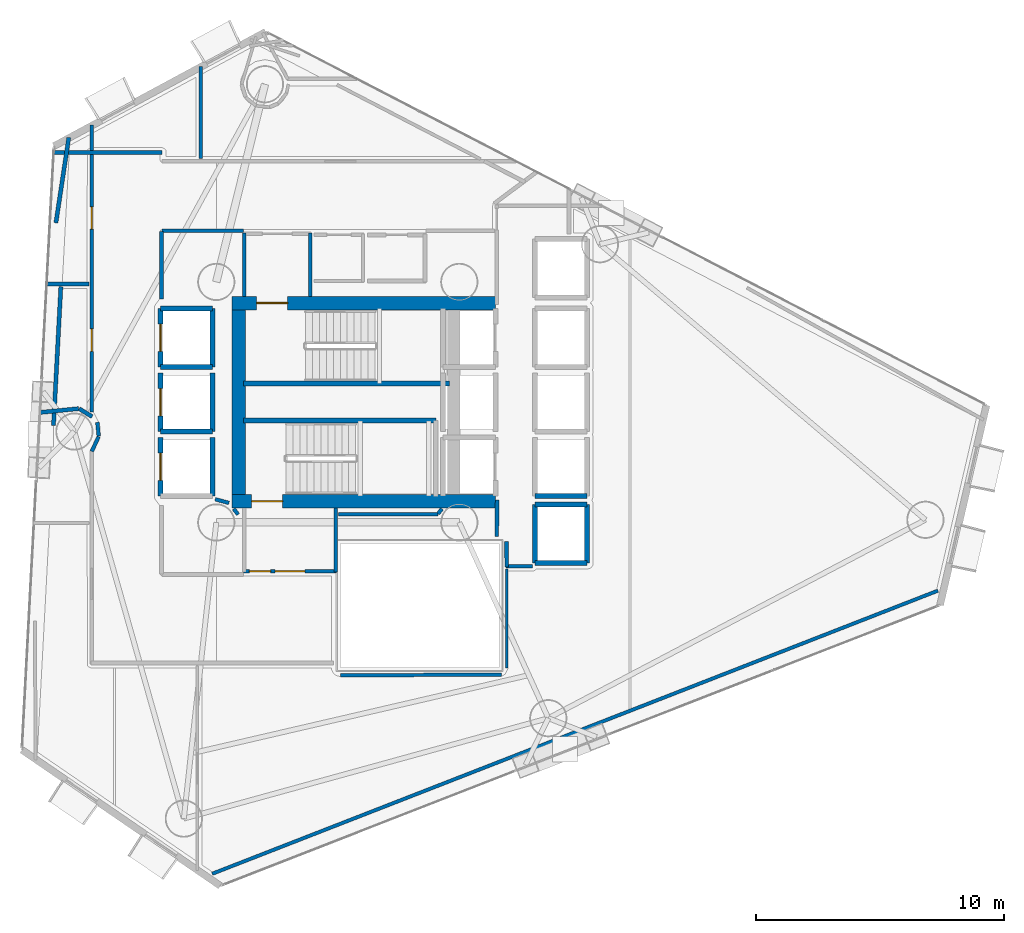
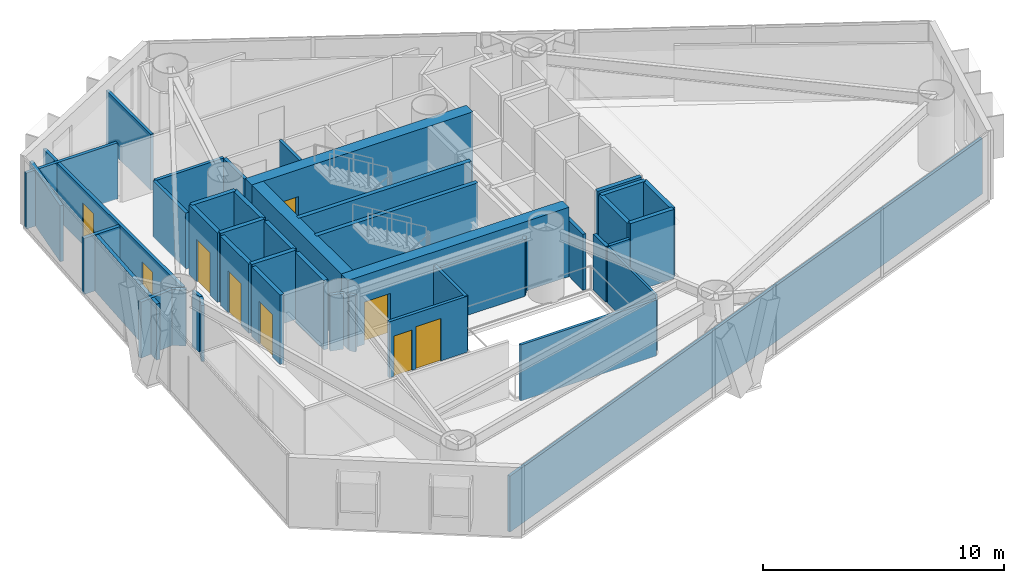
# One storey, part 16 of 21: 45 walls, 9 doors, 9 openings.
"""IFC4 building model written with IfcOpenShell, lengths in metres."""

from ifc_helpers import new_model, si_unit, direction, frame, frame_2d, origin, place, context, subcontext, project, spatial, rectangle, extrude, material, layer, layer_set, type_object, element, fill, save


model = new_model("IFC4")

# Units and contexts
model_context = context("Model", 3, precision=1e-05, world=origin(), true_north=direction((0.0, 1.0)))
body_context = subcontext(model_context, "Body", "Model", "MODEL_VIEW")
ifc_project = project(units=[si_unit("LENGTHUNIT", "METRE"), si_unit("AREAUNIT", "SQUARE_METRE"), si_unit("VOLUMEUNIT", "CUBIC_METRE"), si_unit("PLANEANGLEUNIT", "RADIAN"), si_unit("MASSUNIT", "GRAM", prefix="KILO")], contexts=[model_context])

# Site, building, storey
site_placement = place(None, origin())
site = spatial("IfcSite", under=ifc_project, at=site_placement, CompositionType="ELEMENT")
building_placement = place(site_placement, origin())
building = spatial("IfcBuilding", under=site, at=building_placement, Name="Qianvela Tower", CompositionType="ELEMENT")
storey_placement = place(building_placement, frame((0.0, 0.0, 131.10009765625)))
storey = spatial("IfcBuildingStorey", under=building, at=storey_placement, Name="L33", CompositionType="ELEMENT", Elevation=131.10009765625)

# Wall, opening, door
ifc_material_1 = material(Name="Concrete C60", Category="concrete")
ifc_layer_1 = layer(ifc_material_1, 0.550048828125)
ifc_layer_set_1 = layer_set([ifc_layer_1], Name="Concrete C60")
wall_type_1 = type_object("IfcWallType", Name="WT-CORE-550", PredefinedType="SHEAR", material=ifc_layer_set_1)
wall_1_placement = place(storey_placement, frame((29.22998046875, 32.695068359375, 0.0), z_axis=(0.0, 0.0, 1.0), x_axis=(1.0, 0.0, 0.0)))
wall_1 = element("IfcWall", 1, at=wall_1_placement, inside=storey, type_object=wall_type_1, Name="L33 North Core Shear Wall", PredefinedType="SHEAR", context=body_context, shape_type="SweptSolid", body=[
    extrude(rectangle(XDim=10.6201171875, YDim=0.550048828125, at=frame_2d((5.31005859375, 0.0))), origin(), (0.0, 0.0, 1.0), 3.52001953125),
])
opening_1_placement = place(wall_1_placement, frame((0.9951171875, 0.0, 0.0)))
opening_1 = element("IfcOpeningElement", 2, at=opening_1_placement, cuts=wall_1, Name="Opening D-ST1", PredefinedType="OPENING", context=body_context, shape_type="SweptSolid", body=[
    extrude(rectangle(XDim=1.25, YDim=2.14990234375, at=frame_2d((0.625, 1.074951171875))), frame((0.0, 0.284912109375, 0.0), z_axis=(0.0, -1.0, 0.0), x_axis=(1.0, 0.0, 0.0)), (0.0, 0.0, 1.0), 0.570068359375),
])
ifc_material_2 = material(Name="Galvanised Fire Steel Q355B", Category="steel")
door_type_1 = type_object("IfcDoorType", Name="DT-STAIR-FD90", OperationType="NOTDEFINED", PredefinedType="DOOR", material=ifc_material_2)
door_1_placement = place(opening_1_placement, origin())
door_1 = element("IfcDoor", 3, at=door_1_placement, inside=storey, type_object=door_type_1, Name="L33 Stair ST-1 Exit Door", OperationType="SINGLE_SWING_RIGHT", OverallHeight=2.14990234375, OverallWidth=1.25, PredefinedType="DOOR", context=body_context, shape_type="SweptSolid", body=[
    extrude(rectangle(XDim=1.25, YDim=2.14990234375, at=frame_2d((0.625, 1.074951171875))), frame((0.0, 0.02490234375, 0.0), z_axis=(0.0, -1.0, 0.0), x_axis=(1.0, 0.0, 0.0)), (0.0, 0.0, 1.0), 0.050048828125),
])
fill(opening_1, door_1)

wall_2_placement = place(storey_placement, frame((29.22998046875, 24.705078125, 0.0), z_axis=(0.0, 0.0, 1.0), x_axis=(1.0, 0.0, 0.0)))
wall_2 = element("IfcWall", 4, at=wall_2_placement, inside=storey, type_object=wall_type_1, Name="L33 South Core Shear Wall", PredefinedType="SHEAR", context=body_context, shape_type="SweptSolid", body=[
    extrude(rectangle(XDim=10.6201171875, YDim=0.550048828125, at=frame_2d((5.31005859375, 0.0))), origin(), (0.0, 0.0, 1.0), 3.52001953125),
])
opening_2_placement = place(wall_2_placement, frame((0.794921875, 0.0, 0.0)))
opening_2 = element("IfcOpeningElement", 5, at=opening_2_placement, cuts=wall_2, Name="Opening D-ST1", PredefinedType="OPENING", context=body_context, shape_type="SweptSolid", body=[
    extrude(rectangle(XDim=1.25, YDim=2.14990234375, at=frame_2d((0.625, 1.074951171875))), frame((0.0, 0.284912109375, 0.0), z_axis=(0.0, -1.0, 0.0), x_axis=(1.0, 0.0, 0.0)), (0.0, 0.0, 1.0), 0.570068359375),
])
door_2_placement = place(opening_2_placement, origin())
door_2 = element("IfcDoor", 6, at=door_2_placement, inside=storey, type_object=door_type_1, Name="L33 Stair ST-2 Exit Door", OperationType="SINGLE_SWING_LEFT", OverallHeight=2.14990234375, OverallWidth=1.25, PredefinedType="DOOR", context=body_context, shape_type="SweptSolid", body=[
    extrude(rectangle(XDim=1.25, YDim=2.14990234375, at=frame_2d((0.625, 1.074951171875))), frame((0.0, 0.02490234375, 0.0), z_axis=(0.0, -1.0, 0.0), x_axis=(1.0, 0.0, 0.0)), (0.0, 0.0, 1.0), 0.050048828125),
])
fill(opening_2, door_2)

# Walls
wall_3_placement = place(storey_placement, frame((29.5048828125, 24.97998046875, 0.0), z_axis=(0.0, 0.0, 1.0), x_axis=(0.0, 1.0, 0.0)))
element("IfcWall", 7, at=wall_3_placement, inside=storey, type_object=wall_type_1, Name="L33 West Core Shear Wall", PredefinedType="SHEAR", context=body_context, shape_type="SweptSolid", body=[
    extrude(rectangle(XDim=7.43994140625, YDim=0.550048828125, at=frame_2d((3.719970703125, 0.0))), origin(), (0.0, 0.0, 1.0), 3.52001953125),
])
ifc_material_3 = material(Name="Fire-Rated Acoustic Gypsum Board")
ifc_layer_2 = layer(ifc_material_3, 0.14990234375)
ifc_layer_set_2 = layer_set([ifc_layer_2], Name="Fire-Rated Acoustic Gypsum Board")
wall_type_2 = type_object("IfcWallType", Name="WT-CORR-150", PredefinedType="PARTITIONING", material=ifc_layer_set_2)
for number, where, z_axis, x_axis, name in (
    (8, (29.73095703125, 32.9580078125, 0.0), (0.0, 0.0, 1.0), (0.0, 1.0, 0.0), "L33 Partition 2"),
    (9, (32.388916015625, 35.52001953125, 0.0), (0.0, 0.0, 1.0), (0.0, -1.0, 0.0), "L33 Partition 4"),
):
    element("IfcWall", number, at=place(storey_placement, frame(where, z_axis=z_axis, x_axis=x_axis)), inside=storey, type_object=wall_type_2, Name=name, PredefinedType="PARTITIONING", context=body_context, shape_type="SweptSolid", body=[
        extrude(rectangle(XDim=2.56201171875, YDim=0.14990234375, at=frame_2d((1.281005859375, 0.0))), origin(), (0.0, 0.0, 1.0), 2.83984375),
    ])

# Wall, openings, doors
wall_4_placement = place(storey_placement, frame((33.449951171875, 21.881103515625, 0.0), z_axis=(0.0, 0.0, 1.0), x_axis=(-1.0, 0.0, 0.0)))
wall_4 = element("IfcWall", 10, at=wall_4_placement, inside=storey, type_object=wall_type_2, Name="L33 Partition 5", PredefinedType="PARTITIONING", context=body_context, shape_type="SweptSolid", body=[
    extrude(rectangle(XDim=3.75, YDim=0.14990234375, at=frame_2d((1.875, 0.0))), origin(), (0.0, 0.0, 1.0), 2.83984375),
])
opening_3_placement = place(wall_4_placement, frame((1.27490234375, 0.0, 0.0)))
opening_3 = element("IfcOpeningElement", 11, at=opening_3_placement, cuts=wall_4, Name="Opening D-LB1", PredefinedType="OPENING", context=body_context, shape_type="SweptSolid", body=[
    extrude(rectangle(XDim=1.199951171875, YDim=2.14990234375, at=frame_2d((0.60009765625, 1.074951171875))), frame((0.0, 0.0849609375, 0.0), z_axis=(0.0, -1.0, 0.0), x_axis=(1.0, 0.0, 0.0)), (0.0, 0.0, 1.0), 0.169921875),
])
opening_4_placement = place(wall_4_placement, frame((2.659912109375, 0.0, 0.0)))
opening_4 = element("IfcOpeningElement", 12, at=opening_4_placement, cuts=wall_4, Name="Opening D-LB2", PredefinedType="OPENING", context=body_context, shape_type="SweptSolid", body=[
    extrude(rectangle(XDim=0.860107421875, YDim=2.050048828125, at=frame_2d((0.43017578125, 1.02490234375))), frame((0.0, 0.0849609375, 0.0), z_axis=(0.0, -1.0, 0.0), x_axis=(1.0, 0.0, 0.0)), (0.0, 0.0, 1.0), 0.169921875),
])
ifc_material_4 = material(Name="Glazed Fire-Rated Steel Frame", Category="steel")
door_type_2 = type_object("IfcDoorType", Name="DT-LOBBY-FD90", OperationType="NOTDEFINED", PredefinedType="DOOR", material=ifc_material_4)
door_3_placement = place(opening_3_placement, origin())
door_3 = element("IfcDoor", 13, at=door_3_placement, inside=storey, type_object=door_type_2, Name="L33 Door L33 Firefighting Lobby South to L33 Floor Corridor", OperationType="SINGLE_SWING_RIGHT", OverallHeight=2.14990234375, OverallWidth=1.199951171875, PredefinedType="DOOR", context=body_context, shape_type="SweptSolid", body=[
    extrude(rectangle(XDim=1.199951171875, YDim=2.14990234375, at=frame_2d((0.60009765625, 1.074951171875))), frame((0.0, 0.02490234375, 0.0), z_axis=(0.0, -1.0, 0.0), x_axis=(1.0, 0.0, 0.0)), (0.0, 0.0, 1.0), 0.050048828125),
])
fill(opening_3, door_3)
ifc_material_5 = material(Name="Insulated Steel Fire Door Q355B", Category="steel")
door_type_3 = type_object("IfcDoorType", Name="DT-LOBBY-FD90-860", OperationType="NOTDEFINED", PredefinedType="DOOR", material=ifc_material_5)
door_4_placement = place(opening_4_placement, origin())
door_4 = element("IfcDoor", 14, at=door_4_placement, inside=storey, type_object=door_type_3, Name="L33 Door L33 Firefighting Lobby South to L33 Floor Corridor", OperationType="SINGLE_SWING_RIGHT", OverallHeight=2.050048828125, OverallWidth=0.860107421875, PredefinedType="DOOR", context=body_context, shape_type="SweptSolid", body=[
    extrude(rectangle(XDim=0.860107421875, YDim=2.050048828125, at=frame_2d((0.43017578125, 1.02490234375))), frame((0.0, 0.02490234375, 0.0), z_axis=(0.0, -1.0, 0.0), x_axis=(1.0, 0.0, 0.0)), (0.0, 0.0, 1.0), 0.050048828125),
])
fill(opening_4, door_4)

# Walls
wall_5_placement = place(storey_placement, frame((33.4189453125, 24.44189453125, 0.0), z_axis=(0.0, 0.0, 1.0), x_axis=(0.0, -1.0, 0.0)))
element("IfcWall", 15, at=wall_5_placement, inside=storey, type_object=wall_type_2, Name="L33 Partition 8", PredefinedType="PARTITIONING", context=body_context, shape_type="SweptSolid", body=[
    extrude(rectangle(XDim=2.591796875, YDim=0.14990234375, at=frame_2d((1.2958984375, 0.0))), origin(), (0.0, 0.0, 1.0), 2.83984375),
])
wall_6_placement = place(storey_placement, frame((41.360107421875, 22.0810546875, 0.0), z_axis=(0.0, 0.0, 1.0), x_axis=(-1.0, 0.0, 0.0)))
element("IfcWall", 16, at=wall_6_placement, inside=storey, type_object=wall_type_2, Name="L33 Partition 15", PredefinedType="PARTITIONING", context=body_context, shape_type="SweptSolid", body=[
    extrude(rectangle(XDim=1.080078125, YDim=0.14990234375, at=frame_2d((0.5400390625, 0.0))), origin(), (0.0, 0.0, 1.0), 2.83984375),
])
wall_7_placement = place(storey_placement, frame((40.31103515625, 22.05029296875, 0.0), z_axis=(0.0, 0.0, 1.0), x_axis=(-0.011836292006, 0.999929948642, 0.0)))
element("IfcWall", 17, at=wall_7_placement, inside=storey, type_object=wall_type_2, Name="L33 Partition 16", PredefinedType="PARTITIONING", context=body_context, shape_type="SweptSolid", body=[
    extrude(rectangle(XDim=1.03125, YDim=0.14990234375, at=frame_2d((0.515625, 0.0))), origin(), (0.0, 0.0, 1.0), 2.83984375),
])
wall_8_placement = place(storey_placement, frame((39.910888671875, 23.27978515625, 0.0), z_axis=(0.0, 0.0, 1.0), x_axis=(0.009397771291, 0.999955839972, 0.0)))
element("IfcWall", 18, at=wall_8_placement, inside=storey, type_object=wall_type_2, Name="L33 Partition 17", PredefinedType="PARTITIONING", context=body_context, shape_type="SweptSolid", body=[
    extrude(rectangle(XDim=1.480712890625, YDim=0.14990234375, at=frame_2d((0.740234375, 0.0))), origin(), (0.0, 0.0, 1.0), 2.83984375),
])
wall_9_placement = place(storey_placement, frame((29.47998046875, 24.1689453125, 0.0), z_axis=(0.0, 0.0, 1.0), x_axis=(-0.608043045279, 0.79390405912, 0.0)))
element("IfcWall", 19, at=wall_9_placement, inside=storey, type_object=wall_type_2, Name="L33 Partition 30", PredefinedType="PARTITIONING", context=body_context, shape_type="SweptSolid", body=[
    extrude(rectangle(XDim=0.290283203125, YDim=0.14990234375, at=frame_2d((0.14501953125, 0.0))), origin(), (0.0, 0.0, 1.0), 2.83984375),
])
wall_10_placement = place(storey_placement, frame((29.113525390625, 24.63671875, 0.0), z_axis=(0.0, 0.0, 1.0), x_axis=(-0.966199685486, 0.257794817183, 0.0)))
element("IfcWall", 20, at=wall_10_placement, inside=storey, type_object=wall_type_2, Name="L33 Partition 31", PredefinedType="PARTITIONING", context=body_context, shape_type="SweptSolid", body=[
    extrude(rectangle(XDim=0.574951171875, YDim=0.14990234375, at=frame_2d((0.28759765625, 0.0))), origin(), (0.0, 0.0, 1.0), 2.83984375),
])
wall_11_placement = place(storey_placement, frame((37.696533203125, 24.3994140625, 0.0), z_axis=(0.0, 0.0, 1.0), x_axis=(-0.60763139403, -0.794219169367, 0.0)))
element("IfcWall", 21, at=wall_11_placement, inside=storey, type_object=wall_type_2, Name="L33 Partition 38", PredefinedType="PARTITIONING", context=body_context, shape_type="SweptSolid", body=[
    extrude(rectangle(XDim=0.25, YDim=0.14990234375, at=frame_2d((0.125, 0.0))), origin(), (0.0, 0.0, 1.0), 2.83984375),
])
wall_12_placement = place(storey_placement, frame((37.544677734375, 24.180908203125, 0.0), z_axis=(0.0, 0.0, 1.0), x_axis=(-1.0, 0.0, 0.0)))
element("IfcWall", 22, at=wall_12_placement, inside=storey, type_object=wall_type_2, Name="L33 Partition 39", PredefinedType="PARTITIONING", context=body_context, shape_type="SweptSolid", body=[
    extrude(rectangle(XDim=4.0146484375, YDim=0.14990234375, at=frame_2d((2.00732421875, 0.0))), origin(), (0.0, 0.0, 1.0), 2.83984375),
])

# Wall, openings, doors
wall_13_placement = place(storey_placement, frame((23.5810546875, 28.306640625, 0.0), z_axis=(0.0, 0.0, 1.0), x_axis=(0.0, 1.0, 0.0)))
wall_13 = element("IfcWall", 23, at=wall_13_placement, inside=storey, type_object=wall_type_2, Name="L33 Partition 40", PredefinedType="PARTITIONING", context=body_context, shape_type="SweptSolid", body=[
    extrude(rectangle(XDim=11.566650390625, YDim=0.14990234375, at=frame_2d((5.783203125, 0.0))), origin(), (0.0, 0.0, 1.0), 2.83984375),
])
opening_5_placement = place(wall_13_placement, frame((7.368896484375, 0.0, 0.0)))
opening_5 = element("IfcOpeningElement", 24, at=opening_5_placement, cuts=wall_13, Name="Opening D-KT1", PredefinedType="OPENING", context=body_context, shape_type="SweptSolid", body=[
    extrude(rectangle(XDim=0.89990234375, YDim=2.10009765625, at=frame_2d((0.449951171875, 1.050048828125))), frame((0.0, 0.0849609375, 0.0), z_axis=(0.0, -1.0, 0.0), x_axis=(1.0, 0.0, 0.0)), (0.0, 0.0, 1.0), 0.169921875),
])
opening_6_placement = place(wall_13_placement, frame((2.446044921875, 0.0, 0.0)))
opening_6 = element("IfcOpeningElement", 25, at=opening_6_placement, cuts=wall_13, Name="Opening D-KT1", PredefinedType="OPENING", context=body_context, shape_type="SweptSolid", body=[
    extrude(rectangle(XDim=0.89990234375, YDim=2.10009765625, at=frame_2d((0.449951171875, 1.050048828125))), frame((0.0, 0.0849609375, 0.0), z_axis=(0.0, -1.0, 0.0), x_axis=(1.0, 0.0, 0.0)), (0.0, 0.0, 1.0), 0.169921875),
])
ifc_material_6 = material(Name="Glazed Timber Kitchen Door", Category="wood")
door_type_4 = type_object("IfcDoorType", Name="DT-KITCH-900", OperationType="NOTDEFINED", PredefinedType="DOOR", material=ifc_material_6)
door_5_placement = place(opening_5_placement, origin())
door_5 = element("IfcDoor", 26, at=door_5_placement, inside=storey, type_object=door_type_4, Name="L33 Door Social Galley Kitchen L33-04 to L33 Floor Corridor", OperationType="SINGLE_SWING_RIGHT", OverallHeight=2.10009765625, OverallWidth=0.89990234375, PredefinedType="DOOR", context=body_context, shape_type="SweptSolid", body=[
    extrude(rectangle(XDim=0.89990234375, YDim=2.10009765625, at=frame_2d((0.449951171875, 1.050048828125))), frame((0.0, 0.02490234375, 0.0), z_axis=(0.0, -1.0, 0.0), x_axis=(1.0, 0.0, 0.0)), (0.0, 0.0, 1.0), 0.050048828125),
])
fill(opening_5, door_5)
door_6_placement = place(opening_6_placement, origin())
door_6 = element("IfcDoor", 27, at=door_6_placement, inside=storey, type_object=door_type_4, Name="L33 Door Shared Communal Kitchen L33-05 to L33 Floor Corridor", OperationType="SINGLE_SWING_LEFT", OverallHeight=2.10009765625, OverallWidth=0.89990234375, PredefinedType="DOOR", context=body_context, shape_type="SweptSolid", body=[
    extrude(rectangle(XDim=0.89990234375, YDim=2.10009765625, at=frame_2d((0.449951171875, 1.050048828125))), frame((0.0, 0.02490234375, 0.0), z_axis=(0.0, -1.0, 0.0), x_axis=(1.0, 0.0, 0.0)), (0.0, 0.0, 1.0), 0.050048828125),
])
fill(opening_6, door_6)

# Walls
wall_14_placement = place(storey_placement, frame((22.02392578125, 38.76904296875, 0.0), z_axis=(0.0, 0.0, 1.0), x_axis=(1.0, 0.0, 0.0)))
element("IfcWall", 28, at=wall_14_placement, inside=storey, type_object=wall_type_2, Name="L33 Partition 41", PredefinedType="PARTITIONING", context=body_context, shape_type="SweptSolid", body=[
    extrude(rectangle(XDim=4.39599609375, YDim=0.14990234375, at=frame_2d((2.197998046875, 0.0))), origin(), (0.0, 0.0, 1.0), 2.83984375),
])
wall_15_placement = place(storey_placement, frame((29.699951171875, 35.611083984375, 0.0), z_axis=(0.0, 0.0, 1.0), x_axis=(-1.0, 0.0, 0.0)))
element("IfcWall", 29, at=wall_15_placement, inside=storey, type_object=wall_type_2, Name="L33 Partition 46 seg 4", PredefinedType="PARTITIONING", context=body_context, shape_type="SweptSolid", body=[
    extrude(rectangle(XDim=3.280029296875, YDim=0.14990234375, at=frame_2d((1.64013671875, 0.0))), origin(), (0.0, 0.0, 1.0), 2.83984375),
])
wall_16_placement = place(storey_placement, frame((26.388916015625, 35.580078125, 0.0), z_axis=(0.0, 0.0, 1.0), x_axis=(0.0, -1.0, 0.0)))
element("IfcWall", 30, at=wall_16_placement, inside=storey, type_object=wall_type_2, Name="L33 Partition 47", PredefinedType="PARTITIONING", context=body_context, shape_type="SweptSolid", body=[
    extrude(rectangle(XDim=2.71044921875, YDim=0.14990234375, at=frame_2d((1.355224609375, 0.0))), origin(), (0.0, 0.0, 1.0), 2.83984375),
])
wall_17_placement = place(storey_placement, frame((23.578125, 26.71240234375, 0.0), z_axis=(0.0, 0.0, 1.0), x_axis=(0.421251946418, 0.906943657367, 0.0)))
element("IfcWall", 31, at=wall_17_placement, inside=storey, type_object=wall_type_2, Name="L33 Partition 53", PredefinedType="PARTITIONING", context=body_context, shape_type="SweptSolid", body=[
    extrude(rectangle(XDim=0.6630859375, YDim=0.14990234375, at=frame_2d((0.33154296875, 0.0))), origin(), (0.0, 0.0, 1.0), 2.83984375),
])
wall_18_placement = place(storey_placement, frame((23.860107421875, 27.329833984375, 0.0), z_axis=(0.0, 0.0, 1.0), x_axis=(-0.098000919071, 0.995186324193, 0.0)))
element("IfcWall", 32, at=wall_18_placement, inside=storey, type_object=wall_type_2, Name="L33 Partition 54", PredefinedType="PARTITIONING", context=body_context, shape_type="SweptSolid", body=[
    extrude(rectangle(XDim=0.56298828125, YDim=0.14990234375, at=frame_2d((0.281494140625, 0.0))), origin(), (0.0, 0.0, 1.0), 2.83984375),
])
ifc_material_7 = material(Name="Lightweight Gypsum Room Partition")
ifc_layer_3 = layer(ifc_material_7, 0.10498046875)
ifc_layer_set_3 = layer_set([ifc_layer_3], Name="Lightweight Gypsum Room Partition")
wall_type_3 = type_object("IfcWallType", Name="WT-PART-105", PredefinedType="PARTITIONING", material=ifc_layer_set_3)
wall_19_placement = place(storey_placement, frame((40.309814453125, 17.972412109375, 0.0), z_axis=(0.0, 0.0, 1.0), x_axis=(0.000305362145, 0.999999953377, 0.0)))
element("IfcWall", 33, at=wall_19_placement, inside=storey, type_object=wall_type_3, Name="L33 Partition 61 seg 1", PredefinedType="PARTITIONING", context=body_context, shape_type="SweptSolid", body=[
    extrude(rectangle(XDim=3.99755859375, YDim=0.10498046875, at=frame_2d((1.998779296875, 0.0))), origin(), (0.0, 0.0, 1.0), 2.83984375),
])
ifc_material_8 = material(Name="Sanitary Service Chase Partition")
ifc_layer_4 = layer(ifc_material_8, 0.1650390625)
ifc_layer_set_4 = layer_set([ifc_layer_4], Name="Sanitary Service Chase Partition")
wall_type_4 = type_object("IfcWallType", Name="WT-PLUMB-165", PredefinedType="PLUMBINGWALL", material=ifc_layer_set_4)
wall_20_placement = place(storey_placement, frame((23.469970703125, 33.472900390625, 0.0), z_axis=(0.0, 0.0, 1.0), x_axis=(-1.0, 0.0, 0.0)))
element("IfcWall", 34, at=wall_20_placement, inside=storey, type_object=wall_type_4, Name="L33 Partition 100", PredefinedType="PLUMBINGWALL", context=body_context, shape_type="SweptSolid", body=[
    extrude(rectangle(XDim=1.727294921875, YDim=0.1650390625, at=frame_2d((0.86376953125, 0.0))), origin(), (0.0, 0.0, 1.0), 2.83984375),
])
wall_21_placement = place(storey_placement, frame((22.133544921875, 35.92919921875, 0.0), z_axis=(0.0, 0.0, 1.0), x_axis=(0.14915308323, 0.988814116891, 0.0)))
element("IfcWall", 35, at=wall_21_placement, inside=storey, type_object=wall_type_4, Name="L33 Partition 101 seg 1", PredefinedType="PLUMBINGWALL", context=body_context, shape_type="SweptSolid", body=[
    extrude(rectangle(XDim=3.481689453125, YDim=0.1650390625, at=frame_2d((1.74072265625, 0.0))), origin(), (0.0, 0.0, 1.0), 2.83984375),
])
wall_22_placement = place(storey_placement, frame((23.59521484375, 28.11572265625, 0.0), z_axis=(0.0, 0.0, 1.0), x_axis=(-0.853675286084, 0.520805631622, 0.0)))
element("IfcWall", 36, at=wall_22_placement, inside=storey, type_object=wall_type_4, Name="L33 Partition 103", PredefinedType="PLUMBINGWALL", context=body_context, shape_type="SweptSolid", body=[
    extrude(rectangle(XDim=0.613037109375, YDim=0.1650390625, at=frame_2d((0.306640625, 0.0))), origin(), (0.0, 0.0, 1.0), 2.83984375),
])
wall_23_placement = place(storey_placement, frame((23.052490234375, 28.439453125, 0.0), z_axis=(0.0, 0.0, 1.0), x_axis=(-0.995177318494, -0.098092327712, 0.0)))
element("IfcWall", 37, at=wall_23_placement, inside=storey, type_object=wall_type_4, Name="L33 Partition 104", PredefinedType="PLUMBINGWALL", context=body_context, shape_type="SweptSolid", body=[
    extrude(rectangle(XDim=1.5927734375, YDim=0.1650390625, at=frame_2d((0.79638671875, 0.0))), origin(), (0.0, 0.0, 1.0), 2.83984375),
])
wall_24_placement = place(storey_placement, frame((22.035888671875, 27.756103515625, 0.0), z_axis=(0.0, 0.0, 1.0), x_axis=(0.053022653613, 0.998593309713, 0.0)))
element("IfcWall", 38, at=wall_24_placement, inside=storey, type_object=wall_type_4, Name="L33 Partition 107", PredefinedType="PLUMBINGWALL", context=body_context, shape_type="SweptSolid", body=[
    extrude(rectangle(XDim=5.608154296875, YDim=0.1650390625, at=frame_2d((2.80419921875, 0.0))), origin(), (0.0, 0.0, 1.0), 2.83984375),
])
ifc_material_9 = material(Name="Acoustic Double Gypsum Stud Partition")
ifc_layer_5 = layer(ifc_material_9, 0.139892578125)
ifc_layer_set_5 = layer_set([ifc_layer_5], Name="Acoustic Double Gypsum Stud Partition")
wall_type_5 = type_object("IfcWallType", Name="WT-ROOM-140", PredefinedType="PARTITIONING", material=ifc_layer_set_5)
wall_25_placement = place(storey_placement, frame((57.69970703125, 21.1005859375, 0.0), z_axis=(0.0, 0.0, 1.0), x_axis=(-0.93160913768, -0.363461709939, 0.0)))
element("IfcWall", 39, at=wall_25_placement, inside=storey, type_object=wall_type_5, Name="L33 Partition 74", PredefinedType="PARTITIONING", context=body_context, shape_type="SweptSolid", body=[
    extrude(rectangle(XDim=31.41259765625, YDim=0.139892578125, at=frame_2d((15.706298828125, 0.0))), origin(), (0.0, 0.0, 1.0), 2.83984375),
])
wall_26_placement = place(storey_placement, frame((33.60009765625, 17.68896484375, 0.0), z_axis=(0.0, 0.0, 1.0), x_axis=(0.99999467303, 0.003264033036, 0.0)))
element("IfcWall", 40, at=wall_26_placement, inside=storey, type_object=wall_type_5, Name="L33 Partition 77", PredefinedType="PARTITIONING", context=body_context, shape_type="SweptSolid", body=[
    extrude(rectangle(XDim=6.50732421875, YDim=0.139892578125, at=frame_2d((3.253662109375, 0.0))), origin(), (0.0, 0.0, 1.0), 2.83984375),
])
wall_27_placement = place(storey_placement, frame((27.972900390625, 38.530029296875, 0.0), z_axis=(0.0, 0.0, 1.0), x_axis=(0.0, 1.0, 0.0)))
element("IfcWall", 41, at=wall_27_placement, inside=storey, type_object=wall_type_5, Name="L33 Partition 95", PredefinedType="PARTITIONING", context=body_context, shape_type="SweptSolid", body=[
    extrude(rectangle(XDim=3.712646484375, YDim=0.139892578125, at=frame_2d((1.8564453125, 0.0))), origin(), (0.0, 0.0, 1.0), 2.83984375),
])
ifc_material_10 = material(Name="Concrete C50", Category="concrete")
ifc_layer_6 = layer(ifc_material_10, 0.199951171875)
ifc_layer_set_6 = layer_set([ifc_layer_6], Name="Concrete C50")
wall_type_6 = type_object("IfcWallType", Name="WT-SHAFT-200", PredefinedType="SOLIDWALL", material=ifc_layer_set_6)
wall_28_placement = place(storey_placement, frame((29.699951171875, 29.449951171875, 0.0), z_axis=(0.0, 0.0, 1.0), x_axis=(1.0, 0.0, 0.0)))
element("IfcWall", 42, at=wall_28_placement, inside=storey, type_object=wall_type_6, Name="L33 Stair ST-1 South Wall", PredefinedType="SOLIDWALL", context=body_context, shape_type="SweptSolid", body=[
    extrude(rectangle(XDim=8.300048828125, YDim=0.199951171875, at=frame_2d((4.14990234375, 0.0))), origin(), (0.0, 0.0, 1.0), 3.52001953125),
])
wall_29_placement = place(storey_placement, frame((29.699951171875, 27.9599609375, 0.0), z_axis=(0.0, 0.0, 1.0), x_axis=(1.0, 0.0, 0.0)))
element("IfcWall", 43, at=wall_29_placement, inside=storey, type_object=wall_type_6, Name="L33 Stair ST-2 North Wall", PredefinedType="SOLIDWALL", context=body_context, shape_type="SweptSolid", body=[
    extrude(rectangle(XDim=7.75, YDim=0.199951171875, at=frame_2d((3.875, 0.0))), origin(), (0.0, 0.0, 1.0), 3.52001953125),
])
wall_30_placement = place(storey_placement, frame((28.449951171875, 30.1201171875, 0.0), z_axis=(0.0, 0.0, 1.0), x_axis=(0.0, 1.0, 0.0)))
element("IfcWall", 44, at=wall_30_placement, inside=storey, type_object=wall_type_6, Name="L33 Lift PL-L1 E Shaft Wall", PredefinedType="SOLIDWALL", context=body_context, shape_type="SweptSolid", body=[
    extrude(rectangle(XDim=2.35986328125, YDim=0.199951171875, at=frame_2d((1.179931640625, 0.0))), origin(), (0.0, 0.0, 1.0), 3.52001953125),
])

# Wall, opening, door
wall_31_placement = place(storey_placement, frame((26.35009765625, 30.1201171875, 0.0), z_axis=(0.0, 0.0, 1.0), x_axis=(0.0, 1.0, 0.0)))
wall_31 = element("IfcWall", 45, at=wall_31_placement, inside=storey, type_object=wall_type_6, Name="L33 Lift PL-L1 W Shaft Wall", PredefinedType="SOLIDWALL", context=body_context, shape_type="SweptSolid", body=[
    extrude(rectangle(XDim=2.35986328125, YDim=0.199951171875, at=frame_2d((1.179931640625, 0.0))), origin(), (0.0, 0.0, 1.0), 3.52001953125),
])
opening_7_placement = place(wall_31_placement, frame((0.6298828125, 0.0, 0.0)))
opening_7 = element("IfcOpeningElement", 46, at=opening_7_placement, cuts=wall_31, Name="Opening LD-01", PredefinedType="OPENING", context=body_context, shape_type="SweptSolid", body=[
    extrude(rectangle(XDim=1.10009765625, YDim=2.14990234375, at=frame_2d((0.550048828125, 1.074951171875))), frame((0.0, 0.10986328125, 0.0), z_axis=(0.0, -1.0, 0.0), x_axis=(1.0, 0.0, 0.0)), (0.0, 0.0, 1.0), 0.219970703125),
])
ifc_material_11 = material(Name="Brushed Stainless Steel Lift Landing Door", Category="steel")
door_type_5 = type_object("IfcDoorType", Name="DT-LIFT-SLIDE-1100", OperationType="SLIDING_TO_LEFT", PredefinedType="DOOR", material=ifc_material_11)
door_7_placement = place(opening_7_placement, origin())
door_7 = element("IfcDoor", 47, at=door_7_placement, inside=storey, type_object=door_type_5, Name="L33 Lift PL-L1 Sliding Landing Door", OperationType="SLIDING_TO_LEFT", OverallHeight=2.14990234375, OverallWidth=1.10009765625, PredefinedType="DOOR", context=body_context, shape_type="SweptSolid", body=[
    extrude(rectangle(XDim=1.10009765625, YDim=2.14990234375, at=frame_2d((0.550048828125, 1.074951171875))), frame((0.0, 0.02490234375, 0.0), z_axis=(0.0, -1.0, 0.0), x_axis=(1.0, 0.0, 0.0)), (0.0, 0.0, 1.0), 0.050048828125),
])
fill(opening_7, door_7)

# Walls
for number, where, z_axis, x_axis, name in (
    (48, (26.35009765625, 32.47998046875, 0.0), (0.0, 0.0, 1.0), (1.0, 0.0, 0.0), "L33 Lift PL-L1 N Shaft Wall"),
    (49, (26.35009765625, 30.1201171875, 0.0), (0.0, 0.0, 1.0), (1.0, 0.0, 0.0), "L33 Lift PL-L1 S Shaft Wall"),
):
    element("IfcWall", number, at=place(storey_placement, frame(where, z_axis=z_axis, x_axis=x_axis)), inside=storey, type_object=wall_type_6, Name=name, PredefinedType="SOLIDWALL", context=body_context, shape_type="SweptSolid", body=[
        extrude(rectangle(XDim=2.099853515625, YDim=0.199951171875, at=frame_2d((1.0498046875, 0.0))), origin(), (0.0, 0.0, 1.0), 3.52001953125),
    ])
wall_32_placement = place(storey_placement, frame((28.449951171875, 27.52001953125, 0.0), z_axis=(0.0, 0.0, 1.0), x_axis=(0.0, 1.0, 0.0)))
element("IfcWall", 50, at=wall_32_placement, inside=storey, type_object=wall_type_6, Name="L33 Lift PL-L2 E Shaft Wall", PredefinedType="SOLIDWALL", context=body_context, shape_type="SweptSolid", body=[
    extrude(rectangle(XDim=2.35986328125, YDim=0.199951171875, at=frame_2d((1.179931640625, 0.0))), origin(), (0.0, 0.0, 1.0), 3.52001953125),
])

# Wall, opening, door
wall_33_placement = place(storey_placement, frame((26.35009765625, 27.52001953125, 0.0), z_axis=(0.0, 0.0, 1.0), x_axis=(0.0, 1.0, 0.0)))
wall_33 = element("IfcWall", 51, at=wall_33_placement, inside=storey, type_object=wall_type_6, Name="L33 Lift PL-L2 W Shaft Wall", PredefinedType="SOLIDWALL", context=body_context, shape_type="SweptSolid", body=[
    extrude(rectangle(XDim=2.35986328125, YDim=0.199951171875, at=frame_2d((1.179931640625, 0.0))), origin(), (0.0, 0.0, 1.0), 3.52001953125),
])
opening_8_placement = place(wall_33_placement, frame((0.6298828125, 0.0, 0.0)))
opening_8 = element("IfcOpeningElement", 52, at=opening_8_placement, cuts=wall_33, Name="Opening LD-01", PredefinedType="OPENING", context=body_context, shape_type="SweptSolid", body=[
    extrude(rectangle(XDim=1.10009765625, YDim=2.14990234375, at=frame_2d((0.550048828125, 1.074951171875))), frame((0.0, 0.10986328125, 0.0), z_axis=(0.0, -1.0, 0.0), x_axis=(1.0, 0.0, 0.0)), (0.0, 0.0, 1.0), 0.219970703125),
])
door_8_placement = place(opening_8_placement, origin())
door_8 = element("IfcDoor", 53, at=door_8_placement, inside=storey, type_object=door_type_5, Name="L33 Lift PL-L2 Sliding Landing Door", OperationType="SLIDING_TO_LEFT", OverallHeight=2.14990234375, OverallWidth=1.10009765625, PredefinedType="DOOR", context=body_context, shape_type="SweptSolid", body=[
    extrude(rectangle(XDim=1.10009765625, YDim=2.14990234375, at=frame_2d((0.550048828125, 1.074951171875))), frame((0.0, 0.02490234375, 0.0), z_axis=(0.0, -1.0, 0.0), x_axis=(1.0, 0.0, 0.0)), (0.0, 0.0, 1.0), 0.050048828125),
])
fill(opening_8, door_8)

# Walls
wall_34_placement = place(storey_placement, frame((26.35009765625, 27.52001953125, 0.0), z_axis=(0.0, 0.0, 1.0), x_axis=(1.0, 0.0, 0.0)))
element("IfcWall", 54, at=wall_34_placement, inside=storey, type_object=wall_type_6, Name="L33 Lift PL-L2 S Shaft Wall", PredefinedType="SOLIDWALL", context=body_context, shape_type="SweptSolid", body=[
    extrude(rectangle(XDim=2.099853515625, YDim=0.199951171875, at=frame_2d((1.0498046875, 0.0))), origin(), (0.0, 0.0, 1.0), 3.52001953125),
])
wall_35_placement = place(storey_placement, frame((28.449951171875, 24.919921875, 0.0), z_axis=(0.0, 0.0, 1.0), x_axis=(0.0, 1.0, 0.0)))
element("IfcWall", 55, at=wall_35_placement, inside=storey, type_object=wall_type_6, Name="L33 Lift PL-L3 E Shaft Wall", PredefinedType="SOLIDWALL", context=body_context, shape_type="SweptSolid", body=[
    extrude(rectangle(XDim=2.360107421875, YDim=0.199951171875, at=frame_2d((1.18017578125, 0.0))), origin(), (0.0, 0.0, 1.0), 3.52001953125),
])

# Wall, opening, door
wall_36_placement = place(storey_placement, frame((26.35009765625, 24.919921875, 0.0), z_axis=(0.0, 0.0, 1.0), x_axis=(0.0, 1.0, 0.0)))
wall_36 = element("IfcWall", 56, at=wall_36_placement, inside=storey, type_object=wall_type_6, Name="L33 Lift PL-L3 W Shaft Wall", PredefinedType="SOLIDWALL", context=body_context, shape_type="SweptSolid", body=[
    extrude(rectangle(XDim=2.360107421875, YDim=0.199951171875, at=frame_2d((1.18017578125, 0.0))), origin(), (0.0, 0.0, 1.0), 3.52001953125),
])
opening_9_placement = place(wall_36_placement, frame((0.6298828125, 0.0, 0.0)))
opening_9 = element("IfcOpeningElement", 57, at=opening_9_placement, cuts=wall_36, Name="Opening LD-01", PredefinedType="OPENING", context=body_context, shape_type="SweptSolid", body=[
    extrude(rectangle(XDim=1.10009765625, YDim=2.14990234375, at=frame_2d((0.550048828125, 1.074951171875))), frame((0.0, 0.10986328125, 0.0), z_axis=(0.0, -1.0, 0.0), x_axis=(1.0, 0.0, 0.0)), (0.0, 0.0, 1.0), 0.219970703125),
])
door_9_placement = place(opening_9_placement, origin())
door_9 = element("IfcDoor", 58, at=door_9_placement, inside=storey, type_object=door_type_5, Name="L33 Lift PL-L3 Sliding Landing Door", OperationType="SLIDING_TO_LEFT", OverallHeight=2.14990234375, OverallWidth=1.10009765625, PredefinedType="DOOR", context=body_context, shape_type="SweptSolid", body=[
    extrude(rectangle(XDim=1.10009765625, YDim=2.14990234375, at=frame_2d((0.550048828125, 1.074951171875))), frame((0.0, 0.02490234375, 0.0), z_axis=(0.0, -1.0, 0.0), x_axis=(1.0, 0.0, 0.0)), (0.0, 0.0, 1.0), 0.050048828125),
])
fill(opening_9, door_9)

# Walls
wall_37_placement = place(storey_placement, frame((41.449951171875, 24.919921875, 0.0), z_axis=(0.0, 0.0, 1.0), x_axis=(1.0, 0.0, 0.0)))
element("IfcWall", 59, at=wall_37_placement, inside=storey, type_object=wall_type_6, Name="L33 Lift PL-M3 S Shaft Wall", PredefinedType="SOLIDWALL", context=body_context, shape_type="SweptSolid", body=[
    extrude(rectangle(XDim=2.10009765625, YDim=0.199951171875, at=frame_2d((1.050048828125, 0.0))), origin(), (0.0, 0.0, 1.0), 3.52001953125),
])
for number, where, z_axis, x_axis, name in (
    (60, (43.550048828125, 22.219970703125, 0.0), (0.0, 0.0, 1.0), (0.0, 1.0, 0.0), "L33 Lift PL-H2 E Shaft Wall"),
    (61, (41.449951171875, 22.219970703125, 0.0), (0.0, 0.0, 1.0), (0.0, 1.0, 0.0), "L33 Lift PL-H2 W Shaft Wall"),
):
    element("IfcWall", number, at=place(storey_placement, frame(where, z_axis=z_axis, x_axis=x_axis)), inside=storey, type_object=wall_type_6, Name=name, PredefinedType="SOLIDWALL", context=body_context, shape_type="SweptSolid", body=[
        extrude(rectangle(XDim=2.360107421875, YDim=0.199951171875, at=frame_2d((1.18017578125, 0.0))), origin(), (0.0, 0.0, 1.0), 3.52001953125),
    ])
for number, where, z_axis, x_axis, name in (
    (62, (41.449951171875, 24.580078125, 0.0), (0.0, 0.0, 1.0), (1.0, 0.0, 0.0), "L33 Lift PL-H2 N Shaft Wall"),
    (63, (41.449951171875, 22.219970703125, 0.0), (0.0, 0.0, 1.0), (1.0, 0.0, 0.0), "L33 Lift PL-H2 S Shaft Wall"),
):
    element("IfcWall", number, at=place(storey_placement, frame(where, z_axis=z_axis, x_axis=x_axis)), inside=storey, type_object=wall_type_6, Name=name, PredefinedType="SOLIDWALL", context=body_context, shape_type="SweptSolid", body=[
        extrude(rectangle(XDim=2.10009765625, YDim=0.199951171875, at=frame_2d((1.050048828125, 0.0))), origin(), (0.0, 0.0, 1.0), 3.52001953125),
    ])

save(model, "model.ifc")
